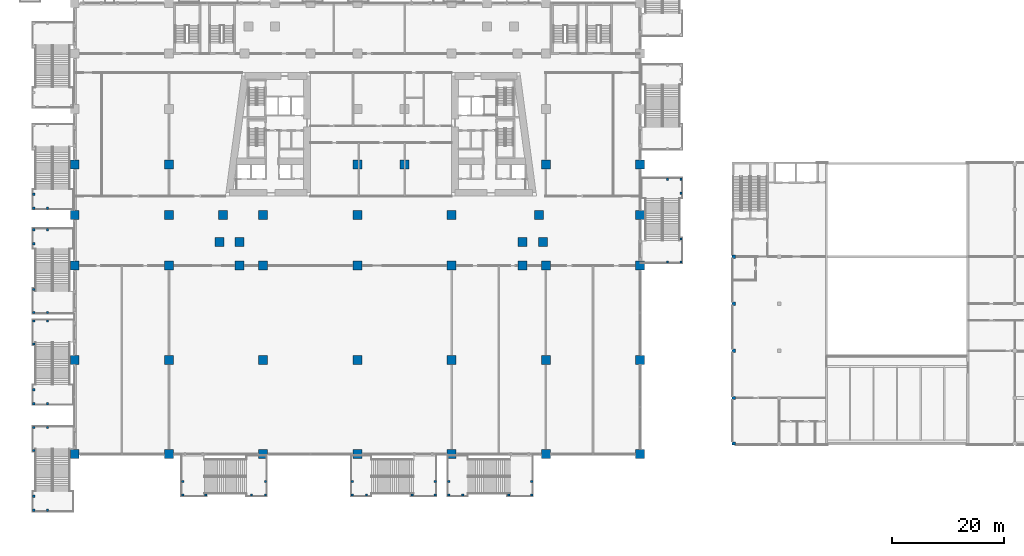
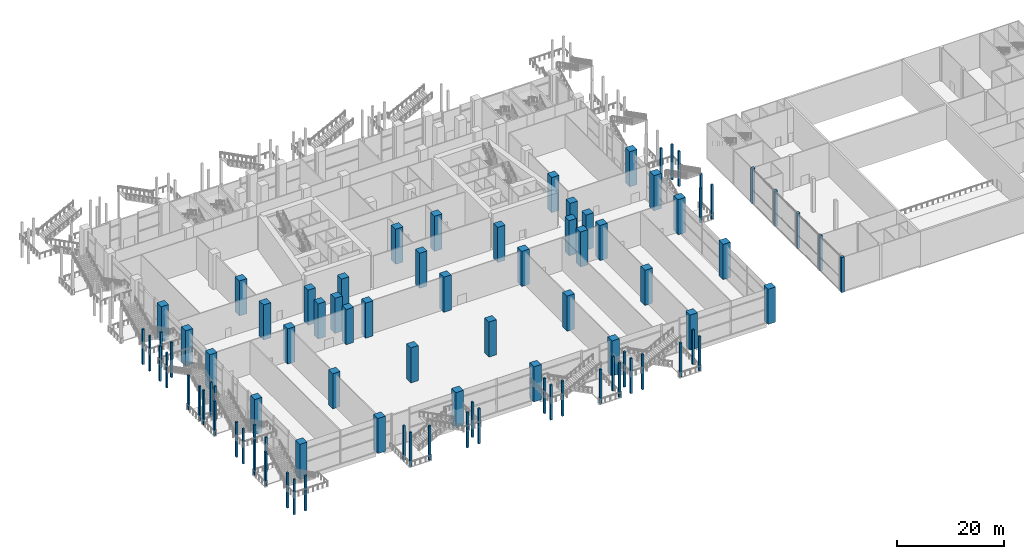
# One storey, part 1 of 52: 91 columns.
"""IFC4 building model written with IfcOpenShell, lengths in metres."""

from ifc_helpers import new_model, si_unit, direction, frame, origin, origin_2d, place, context, subcontext, project, spatial, rectangle, extrude, material, material_profile, profile_set, type_object, element, save


model = new_model("IFC4")

# Units and contexts
model_context = context("Model", 3, precision=1e-05, world=origin(), true_north=direction((0.0, 1.0)))
body_context = subcontext(model_context, "Body", "Model", "MODEL_VIEW")
ifc_project = project(units=[si_unit("LENGTHUNIT", "METRE"), si_unit("AREAUNIT", "SQUARE_METRE"), si_unit("VOLUMEUNIT", "CUBIC_METRE"), si_unit("PLANEANGLEUNIT", "RADIAN"), si_unit("MASSUNIT", "GRAM", prefix="KILO")], contexts=[model_context])

# Site, building, storey
site_placement = place(None, origin())
site = spatial("IfcSite", under=ifc_project, at=site_placement, CompositionType="ELEMENT")
building_placement = place(site_placement, origin())
building = spatial("IfcBuilding", under=site, at=building_placement, Name="Candeia Pilgrim Tower and Theatre", CompositionType="ELEMENT")
storey_placement = place(building_placement, frame((0.0, 0.0, 9.0)))
storey = spatial("IfcBuildingStorey", under=building, at=storey_placement, Name="L01", CompositionType="ELEMENT", Elevation=9.0)

# Columns
ifc_material_1 = material(Name="Concrete C40/50", Category="concrete")
ifc_material_profile_1 = material_profile(ifc_material_1, rectangle(XDim=0.39990234375, YDim=0.39990234375, at=origin_2d()))
ifc_profile_set_1 = profile_set([ifc_material_profile_1], Name="Concrete C40/50")
column_type_1 = type_object("IfcColumnType", Name="Escape stair column RC 400x400", PredefinedType="COLUMN", material=ifc_profile_set_1)
for number, where, z_axis, x_axis, name in (
    (1, (166.89990234375, 98.64990234375, 0.0), (0.0, 0.0, 1.0), (1.0, 0.0, 0.0), "External escape stair ES1 column N1.2"),
    (2, (166.89990234375, 102.75, 0.0), (0.0, 0.0, 1.0), (1.0, 0.0, 0.0), "External escape stair ES1 column N2.2"),
    (3, (164.47509765625, 98.64990234375, 0.0), (0.0, 0.0, 1.0), (1.0, 0.0, 0.0), "External escape stair ES1 column N3.2"),
):
    element("IfcColumn", number, at=place(storey_placement, frame(where, z_axis=z_axis, x_axis=x_axis)), inside=storey, type_object=column_type_1, Name=name, PredefinedType="COLUMN", context=body_context, shape_type="SweptSolid", body=[
        extrude(rectangle(XDim=0.39990234375, YDim=0.39990234375, at=origin_2d()), origin(), (0.0, 0.0, 1.0), 7.800048828125),
    ])
for number, where, z_axis, x_axis, name in (
    (4, (166.89990234375, 110.909912109375, 0.0), (0.0, 0.0, 1.0), (1.0, 0.0, 0.0), "External escape stair ES1 column F1.2"),
    (5, (166.89990234375, 113.409912109375, 0.0), (0.0, 0.0, 1.0), (1.0, 0.0, 0.0), "External escape stair ES1 column F2.2"),
    (6, (164.47509765625, 113.409912109375, 0.0), (0.0, 0.0, 1.0), (1.0, 0.0, 0.0), "External escape stair ES1 column F3.2"),
):
    element("IfcColumn", number, at=place(storey_placement, frame(where, z_axis=z_axis, x_axis=x_axis)), inside=storey, type_object=column_type_1, Name=name, PredefinedType="COLUMN", context=body_context, shape_type="SweptSolid", body=[
        extrude(rectangle(XDim=0.39990234375, YDim=0.39990234375, at=origin_2d()), origin(), (0.0, 0.0, 1.0), 8.0),
    ])
for number, where, z_axis, x_axis, name in (
    (7, (78.050048828125, 57.10009765625, 0.0), (0.0, 0.0, 1.0), (1.0, 0.0, 0.0), "External escape stair ES8 column N1.2"),
    (8, (82.14990234375, 57.10009765625, 0.0), (0.0, 0.0, 1.0), (1.0, 0.0, 0.0), "External escape stair ES8 column N2.2"),
    (9, (78.050048828125, 59.52490234375, 0.0), (0.0, 0.0, 1.0), (1.0, 0.0, 0.0), "External escape stair ES8 column N3.2"),
):
    element("IfcColumn", number, at=place(storey_placement, frame(where, z_axis=z_axis, x_axis=x_axis)), inside=storey, type_object=column_type_1, Name=name, PredefinedType="COLUMN", context=body_context, shape_type="SweptSolid", body=[
        extrude(rectangle(XDim=0.39990234375, YDim=0.39990234375, at=origin_2d()), origin(), (0.0, 0.0, 1.0), 7.800048828125),
    ])
for number, where, z_axis, x_axis, name in (
    (10, (90.31005859375, 57.10009765625, 0.0), (0.0, 0.0, 1.0), (1.0, 0.0, 0.0), "External escape stair ES8 column F1.2"),
    (11, (92.81005859375, 57.10009765625, 0.0), (0.0, 0.0, 1.0), (1.0, 0.0, 0.0), "External escape stair ES8 column F2.2"),
    (12, (92.81005859375, 59.52490234375, 0.0), (0.0, 0.0, 1.0), (1.0, 0.0, 0.0), "External escape stair ES8 column F3.2"),
):
    element("IfcColumn", number, at=place(storey_placement, frame(where, z_axis=z_axis, x_axis=x_axis)), inside=storey, type_object=column_type_1, Name=name, PredefinedType="COLUMN", context=body_context, shape_type="SweptSolid", body=[
        extrude(rectangle(XDim=0.39990234375, YDim=0.39990234375, at=origin_2d()), origin(), (0.0, 0.0, 1.0), 8.0),
    ])
for number, where, z_axis, x_axis, name in (
    (13, (123.050048828125, 57.10009765625, 0.0), (0.0, 0.0, 1.0), (1.0, 0.0, 0.0), "External escape stair ES9 column N1.2"),
    (14, (118.949951171875, 57.10009765625, 0.0), (0.0, 0.0, 1.0), (1.0, 0.0, 0.0), "External escape stair ES9 column N2.2"),
    (15, (123.050048828125, 59.52490234375, 0.0), (0.0, 0.0, 1.0), (1.0, 0.0, 0.0), "External escape stair ES9 column N3.2"),
):
    element("IfcColumn", number, at=place(storey_placement, frame(where, z_axis=z_axis, x_axis=x_axis)), inside=storey, type_object=column_type_1, Name=name, PredefinedType="COLUMN", context=body_context, shape_type="SweptSolid", body=[
        extrude(rectangle(XDim=0.39990234375, YDim=0.39990234375, at=origin_2d()), origin(), (0.0, 0.0, 1.0), 7.800048828125),
    ])
for number, where, z_axis, x_axis, name in (
    (16, (110.7900390625, 57.10009765625, 0.0), (0.0, 0.0, 1.0), (1.0, 0.0, 0.0), "External escape stair ES9 column F1.2"),
    (17, (108.2900390625, 57.10009765625, 0.0), (0.0, 0.0, 1.0), (1.0, 0.0, 0.0), "External escape stair ES9 column F2.2"),
    (18, (108.2900390625, 59.52490234375, 0.0), (0.0, 0.0, 1.0), (1.0, 0.0, 0.0), "External escape stair ES9 column F3.2"),
):
    element("IfcColumn", number, at=place(storey_placement, frame(where, z_axis=z_axis, x_axis=x_axis)), inside=storey, type_object=column_type_1, Name=name, PredefinedType="COLUMN", context=body_context, shape_type="SweptSolid", body=[
        extrude(rectangle(XDim=0.39990234375, YDim=0.39990234375, at=origin_2d()), origin(), (0.0, 0.0, 1.0), 8.0),
    ])
for number, where, z_axis, x_axis, name in (
    (19, (51.5, 69.14990234375, 0.0), (0.0, 0.0, 1.0), (1.0, 0.0, 0.0), "External escape stair ES10 column N1.2"),
    (20, (51.5, 65.050048828125, 0.0), (0.0, 0.0, 1.0), (1.0, 0.0, 0.0), "External escape stair ES10 column N2.2"),
    (21, (53.925048828125, 69.14990234375, 0.0), (0.0, 0.0, 1.0), (1.0, 0.0, 0.0), "External escape stair ES10 column N3.2"),
):
    element("IfcColumn", number, at=place(storey_placement, frame(where, z_axis=z_axis, x_axis=x_axis)), inside=storey, type_object=column_type_1, Name=name, PredefinedType="COLUMN", context=body_context, shape_type="SweptSolid", body=[
        extrude(rectangle(XDim=0.39990234375, YDim=0.39990234375, at=origin_2d()), origin(), (0.0, 0.0, 1.0), 7.800048828125),
    ])
for number, where, z_axis, x_axis, name in (
    (22, (51.5, 56.889892578125, 0.0), (0.0, 0.0, 1.0), (1.0, 0.0, 0.0), "External escape stair ES10 column F1.2"),
    (23, (51.5, 54.389892578125, 0.0), (0.0, 0.0, 1.0), (1.0, 0.0, 0.0), "External escape stair ES10 column F2.2"),
    (24, (53.925048828125, 54.389892578125, 0.0), (0.0, 0.0, 1.0), (1.0, 0.0, 0.0), "External escape stair ES10 column F3.2"),
):
    element("IfcColumn", number, at=place(storey_placement, frame(where, z_axis=z_axis, x_axis=x_axis)), inside=storey, type_object=column_type_1, Name=name, PredefinedType="COLUMN", context=body_context, shape_type="SweptSolid", body=[
        extrude(rectangle(XDim=0.39990234375, YDim=0.39990234375, at=origin_2d()), origin(), (0.0, 0.0, 1.0), 8.0),
    ])
for number, where, z_axis, x_axis, name in (
    (25, (51.5, 88.14990234375, 0.0), (0.0, 0.0, 1.0), (1.0, 0.0, 0.0), "External escape stair ES11 column N1.2"),
    (26, (51.5, 84.050048828125, 0.0), (0.0, 0.0, 1.0), (1.0, 0.0, 0.0), "External escape stair ES11 column N2.2"),
    (27, (53.925048828125, 88.14990234375, 0.0), (0.0, 0.0, 1.0), (1.0, 0.0, 0.0), "External escape stair ES11 column N3.2"),
):
    element("IfcColumn", number, at=place(storey_placement, frame(where, z_axis=z_axis, x_axis=x_axis)), inside=storey, type_object=column_type_1, Name=name, PredefinedType="COLUMN", context=body_context, shape_type="SweptSolid", body=[
        extrude(rectangle(XDim=0.39990234375, YDim=0.39990234375, at=origin_2d()), origin(), (0.0, 0.0, 1.0), 7.800048828125),
    ])
for number, where, z_axis, x_axis, name in (
    (28, (51.5, 75.889892578125, 0.0), (0.0, 0.0, 1.0), (1.0, 0.0, 0.0), "External escape stair ES11 column F1.2"),
    (29, (51.5, 73.389892578125, 0.0), (0.0, 0.0, 1.0), (1.0, 0.0, 0.0), "External escape stair ES11 column F2.2"),
    (30, (53.925048828125, 73.389892578125, 0.0), (0.0, 0.0, 1.0), (1.0, 0.0, 0.0), "External escape stair ES11 column F3.2"),
):
    element("IfcColumn", number, at=place(storey_placement, frame(where, z_axis=z_axis, x_axis=x_axis)), inside=storey, type_object=column_type_1, Name=name, PredefinedType="COLUMN", context=body_context, shape_type="SweptSolid", body=[
        extrude(rectangle(XDim=0.39990234375, YDim=0.39990234375, at=origin_2d()), origin(), (0.0, 0.0, 1.0), 8.0),
    ])
for number, where, z_axis, x_axis, name in (
    (31, (51.5, 89.64990234375, 0.0), (0.0, 0.0, 1.0), (1.0, 0.0, 0.0), "External escape stair ES12 column N1.2"),
    (32, (51.5, 93.75, 0.0), (0.0, 0.0, 1.0), (1.0, 0.0, 0.0), "External escape stair ES12 column N2.2"),
    (33, (53.925048828125, 89.64990234375, 0.0), (0.0, 0.0, 1.0), (1.0, 0.0, 0.0), "External escape stair ES12 column N3.2"),
):
    element("IfcColumn", number, at=place(storey_placement, frame(where, z_axis=z_axis, x_axis=x_axis)), inside=storey, type_object=column_type_1, Name=name, PredefinedType="COLUMN", context=body_context, shape_type="SweptSolid", body=[
        extrude(rectangle(XDim=0.39990234375, YDim=0.39990234375, at=origin_2d()), origin(), (0.0, 0.0, 1.0), 7.800048828125),
    ])
for number, where, z_axis, x_axis, name in (
    (34, (51.5, 101.909912109375, 0.0), (0.0, 0.0, 1.0), (1.0, 0.0, 0.0), "External escape stair ES12 column F1.2"),
    (35, (51.5, 104.409912109375, 0.0), (0.0, 0.0, 1.0), (1.0, 0.0, 0.0), "External escape stair ES12 column F2.2"),
    (36, (53.925048828125, 104.409912109375, 0.0), (0.0, 0.0, 1.0), (1.0, 0.0, 0.0), "External escape stair ES12 column F3.2"),
    (37, (51.5, 110.739990234375, 0.0), (0.0, 0.0, 1.0), (1.0, 0.0, 0.0), "External escape stair ES15 column F1.2"),
    (38, (51.5, 108.239990234375, 0.0), (0.0, 0.0, 1.0), (1.0, 0.0, 0.0), "External escape stair ES15 column F2.2"),
    (39, (53.925048828125, 108.239990234375, 0.0), (0.0, 0.0, 1.0), (1.0, 0.0, 0.0), "External escape stair ES15 column F3.2"),
):
    element("IfcColumn", number, at=place(storey_placement, frame(where, z_axis=z_axis, x_axis=x_axis)), inside=storey, type_object=column_type_1, Name=name, PredefinedType="COLUMN", context=body_context, shape_type="SweptSolid", body=[
        extrude(rectangle(XDim=0.39990234375, YDim=0.39990234375, at=origin_2d()), origin(), (0.0, 0.0, 1.0), 8.0),
    ])
for number, where, z_axis, x_axis, name in (
    (40, (140.25, 57.10009765625, 0.0), (0.0, 0.0, 1.0), (1.0, 0.0, 0.0), "External escape stair ES16 column N1.2"),
    (41, (136.14990234375, 57.10009765625, 0.0), (0.0, 0.0, 1.0), (1.0, 0.0, 0.0), "External escape stair ES16 column N2.2"),
    (42, (140.25, 59.52490234375, 0.0), (0.0, 0.0, 1.0), (1.0, 0.0, 0.0), "External escape stair ES16 column N3.2"),
):
    element("IfcColumn", number, at=place(storey_placement, frame(where, z_axis=z_axis, x_axis=x_axis)), inside=storey, type_object=column_type_1, Name=name, PredefinedType="COLUMN", context=body_context, shape_type="SweptSolid", body=[
        extrude(rectangle(XDim=0.39990234375, YDim=0.39990234375, at=origin_2d()), origin(), (0.0, 0.0, 1.0), 7.800048828125),
    ])
for number, where, z_axis, x_axis, name in (
    (43, (127.989990234375, 57.10009765625, 0.0), (0.0, 0.0, 1.0), (1.0, 0.0, 0.0), "External escape stair ES16 column F1.2"),
    (44, (125.489990234375, 57.10009765625, 0.0), (0.0, 0.0, 1.0), (1.0, 0.0, 0.0), "External escape stair ES16 column F2.2"),
    (45, (125.489990234375, 59.52490234375, 0.0), (0.0, 0.0, 1.0), (1.0, 0.0, 0.0), "External escape stair ES16 column F3.2"),
):
    element("IfcColumn", number, at=place(storey_placement, frame(where, z_axis=z_axis, x_axis=x_axis)), inside=storey, type_object=column_type_1, Name=name, PredefinedType="COLUMN", context=body_context, shape_type="SweptSolid", body=[
        extrude(rectangle(XDim=0.39990234375, YDim=0.39990234375, at=origin_2d()), origin(), (0.0, 0.0, 1.0), 8.0),
    ])
ifc_material_2 = material(Name="Concrete C80/95", Category="concrete")
ifc_material_profile_2 = material_profile(ifc_material_2, rectangle(XDim=1.60009765625, YDim=1.60009765625, at=origin_2d()))
ifc_profile_set_2 = profile_set([ifc_material_profile_2], Name="Concrete C80/95")
column_type_2 = type_object("IfcColumnType", Name="RC 1600x1600 C80/95", PredefinedType="COLUMN", material=ifc_profile_set_2)
for number, where, z_axis, x_axis, name in (
    (46, (58.800048828125, 64.39990234375, 0.0), (0.0, 0.0, 1.0), (1.0, 0.0, 0.0), "Column P-0252-0336"),
    (47, (75.60009765625, 64.39990234375, 0.0), (0.0, 0.0, 1.0), (1.0, 0.0, 0.0), "Column P-0084-0336"),
    (48, (92.39990234375, 64.39990234375, 0.0), (0.0, 0.0, 1.0), (1.0, 0.0, 0.0), "Column P+0084-0336"),
    (49, (109.199951171875, 64.39990234375, 0.0), (0.0, 0.0, 1.0), (1.0, 0.0, 0.0), "Column P+0252-0336"),
    (50, (126.0, 64.39990234375, 0.0), (0.0, 0.0, 1.0), (1.0, 0.0, 0.0), "Column P+0420-0336"),
    (51, (142.800048828125, 64.39990234375, 0.0), (0.0, 0.0, 1.0), (1.0, 0.0, 0.0), "Column P+0588-0336"),
    (52, (159.60009765625, 64.39990234375, 0.0), (0.0, 0.0, 1.0), (1.0, 0.0, 0.0), "Column P+0756-0336"),
    (53, (58.800048828125, 81.199951171875, 0.0), (0.0, 0.0, 1.0), (1.0, 0.0, 0.0), "Column P-0252-0168"),
    (54, (75.60009765625, 81.199951171875, 0.0), (0.0, 0.0, 1.0), (1.0, 0.0, 0.0), "Column P-0084-0168"),
    (55, (92.39990234375, 81.199951171875, 0.0), (0.0, 0.0, 1.0), (1.0, 0.0, 0.0), "Column P+0084-0168"),
    (56, (109.199951171875, 81.199951171875, 0.0), (0.0, 0.0, 1.0), (1.0, 0.0, 0.0), "Column P+0252-0168"),
    (57, (126.0, 81.199951171875, 0.0), (0.0, 0.0, 1.0), (1.0, 0.0, 0.0), "Column P+0420-0168"),
    (58, (142.800048828125, 81.199951171875, 0.0), (0.0, 0.0, 1.0), (1.0, 0.0, 0.0), "Column P+0588-0168"),
    (59, (159.60009765625, 81.199951171875, 0.0), (0.0, 0.0, 1.0), (1.0, 0.0, 0.0), "Column P+0756-0168"),
    (60, (58.800048828125, 98.0, 0.0), (0.0, 0.0, 1.0), (1.0, 0.0, 0.0), "Column P-0252+0000"),
    (61, (75.60009765625, 98.0, 0.0), (0.0, 0.0, 1.0), (1.0, 0.0, 0.0), "Column P-0084+0000"),
    (62, (88.199951171875, 98.0, 0.0), (0.0, 0.0, 1.0), (1.0, 0.0, 0.0), "Column P+0042+0000"),
    (63, (92.39990234375, 98.0, 0.0), (0.0, 0.0, 1.0), (1.0, 0.0, 0.0), "Column P+0084+0000"),
    (64, (109.199951171875, 98.0, 0.0), (0.0, 0.0, 1.0), (1.0, 0.0, 0.0), "Column P+0252+0000"),
    (65, (126.0, 98.0, 0.0), (0.0, 0.0, 1.0), (1.0, 0.0, 0.0), "Column P+0420+0000"),
    (66, (138.60009765625, 98.0, 0.0), (0.0, 0.0, 1.0), (1.0, 0.0, 0.0), "Column P+0546+0000"),
    (67, (142.800048828125, 98.0, 0.0), (0.0, 0.0, 1.0), (1.0, 0.0, 0.0), "Column P+0588+0000"),
    (68, (159.60009765625, 98.0, 0.0), (0.0, 0.0, 1.0), (1.0, 0.0, 0.0), "Column P+0756+0000"),
    (69, (84.5654296875, 102.199951171875, 0.0), (0.0, 0.0, 1.0), (1.0, 0.0, 0.0), "Column P+0006+0042"),
    (70, (88.199951171875, 102.199951171875, 0.0), (0.0, 0.0, 1.0), (1.0, 0.0, 0.0), "Column P+0042+0042"),
    (71, (138.60009765625, 102.199951171875, 0.0), (0.0, 0.0, 1.0), (1.0, 0.0, 0.0), "Column P+0546+0042"),
    (72, (142.234619140625, 102.199951171875, 0.0), (0.0, 0.0, 1.0), (1.0, 0.0, 0.0), "Column P+0582+0042"),
    (73, (58.800048828125, 107.0, 0.0), (0.0, 0.0, 1.0), (1.0, 0.0, 0.0), "Column P-0252+0090"),
    (74, (75.60009765625, 107.0, 0.0), (0.0, 0.0, 1.0), (1.0, 0.0, 0.0), "Column P-0084+0090"),
    (75, (85.21142578125, 107.0, 0.0), (0.0, 0.0, 1.0), (1.0, 0.0, 0.0), "Column P+0012+0090"),
    (76, (92.39990234375, 107.0, 0.0), (0.0, 0.0, 1.0), (1.0, 0.0, 0.0), "Column P+0084+0090"),
    (77, (109.199951171875, 107.0, 0.0), (0.0, 0.0, 1.0), (1.0, 0.0, 0.0), "Column P+0252+0090"),
    (78, (126.0, 107.0, 0.0), (0.0, 0.0, 1.0), (1.0, 0.0, 0.0), "Column P+0420+0090"),
    (79, (141.58837890625, 107.0, 0.0), (0.0, 0.0, 1.0), (1.0, 0.0, 0.0), "Column P+0576+0090"),
    (80, (159.60009765625, 107.0, 0.0), (0.0, 0.0, 1.0), (1.0, 0.0, 0.0), "Column P+0756+0090"),
    (81, (58.800048828125, 116.0, 0.0), (0.0, 0.0, 1.0), (1.0, 0.0, 0.0), "Column P-0252+0180"),
    (82, (75.60009765625, 116.0, 0.0), (0.0, 0.0, 1.0), (1.0, 0.0, 0.0), "Column P-0084+0180"),
    (83, (109.199951171875, 116.0, 0.0), (0.0, 0.0, 1.0), (1.0, 0.0, 0.0), "Column P+0252+0180"),
    (84, (117.60009765625, 116.0, 0.0), (0.0, 0.0, 1.0), (1.0, 0.0, 0.0), "Column P+0336+0180"),
    (85, (142.800048828125, 116.0, 0.0), (0.0, 0.0, 1.0), (1.0, 0.0, 0.0), "Column P+0588+0180"),
    (86, (159.60009765625, 116.0, 0.0), (0.0, 0.0, 1.0), (1.0, 0.0, 0.0), "Column P+0756+0180"),
):
    element("IfcColumn", number, at=place(storey_placement, frame(where, z_axis=z_axis, x_axis=x_axis)), inside=storey, type_object=column_type_2, Name=name, PredefinedType="COLUMN", context=body_context, shape_type="SweptSolid", body=[
        extrude(rectangle(XDim=1.60009765625, YDim=1.60009765625, at=origin_2d()), origin(), (0.0, 0.0, 1.0), 8.0),
    ])
ifc_material_profile_3 = material_profile(ifc_material_1, rectangle(XDim=0.60009765625, YDim=0.60009765625, at=origin_2d()))
ifc_profile_set_3 = profile_set([ifc_material_profile_3], Name="Concrete C40/50")
column_type_3 = type_object("IfcColumnType", Name="Theatre column 600x600", PredefinedType="COLUMN", material=ifc_profile_set_3)
for number, where, z_axis, x_axis, name in (
    (87, (176.300048828125, 66.300048828125, -0.300048828125), (0.0, 0.0, 1.0), (1.0, 0.0, 0.0), "Column TC-A1 L01"),
    (88, (176.300048828125, 74.39990234375, -0.300048828125), (0.0, 0.0, 1.0), (1.0, 0.0, 0.0), "Column TC-B1 L01"),
    (89, (176.300048828125, 82.800048828125, -0.300048828125), (0.0, 0.0, 1.0), (1.0, 0.0, 0.0), "Column TC-C1 L01"),
    (90, (176.300048828125, 91.199951171875, -0.300048828125), (0.0, 0.0, 1.0), (1.0, 0.0, 0.0), "Column TC-D1 L01"),
    (91, (176.300048828125, 99.60009765625, -0.300048828125), (0.0, 0.0, 1.0), (1.0, 0.0, 0.0), "Column TC-E1 L01"),
):
    element("IfcColumn", number, at=place(storey_placement, frame(where, z_axis=z_axis, x_axis=x_axis)), inside=storey, type_object=column_type_3, Name=name, PredefinedType="COLUMN", context=body_context, shape_type="SweptSolid", body=[
        extrude(rectangle(XDim=0.60009765625, YDim=0.60009765625, at=origin_2d()), origin(), (0.0, 0.0, 1.0), 8.0),
    ])

save(model, "model.ifc")
